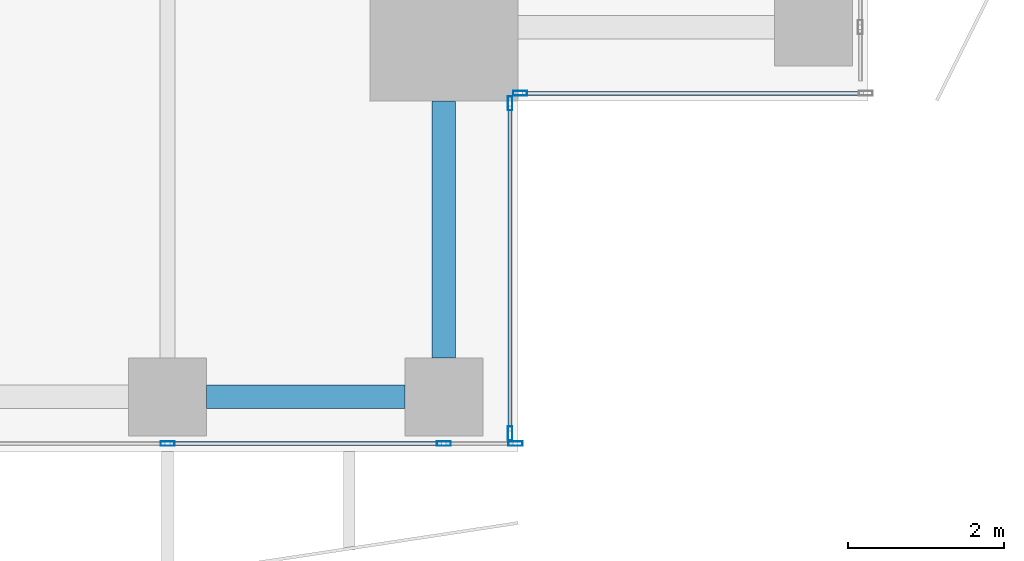
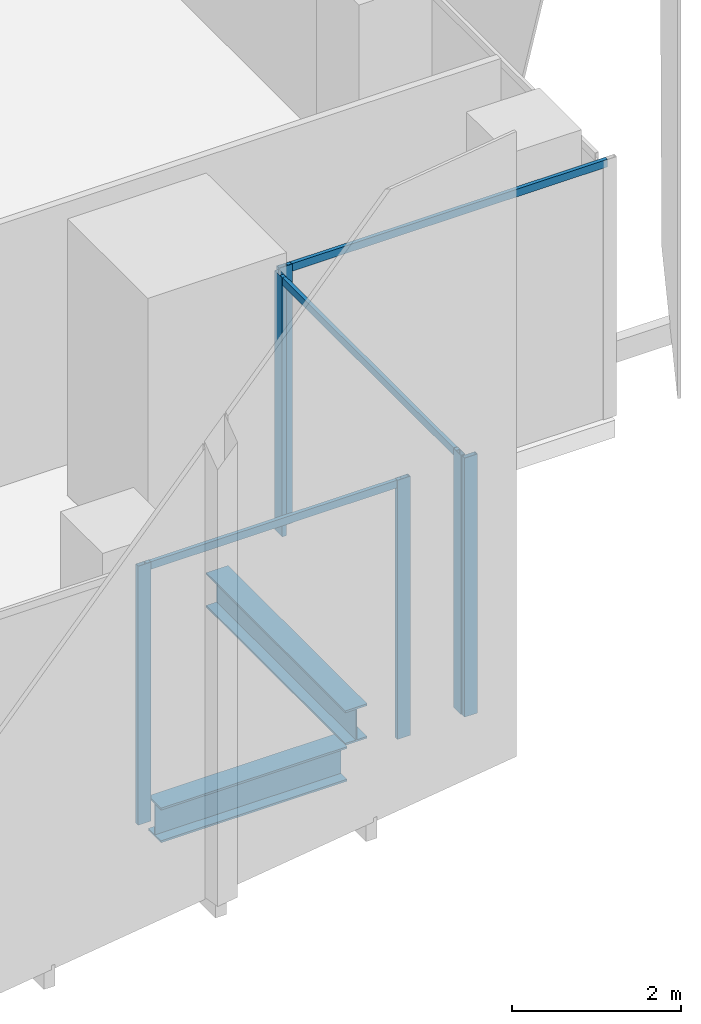
# One storey, part 9 of 35: 9 members, 2 beams, 3 elements without a shape of their own.
"""IFC4 building model written with IfcOpenShell, lengths in metres."""

from ifc_helpers import new_model, si_unit, direction, frame, origin, origin_2d, place, context, subcontext, project, spatial, hollow_rectangle, i_section, extrude, source, transform, mapped, material, material_profile, profile_set, type_object, element, aggregate, save


model = new_model("IFC4")

# Units and contexts
model_context = context("Model", 3, precision=1e-05, world=origin(), true_north=direction((0.0, 1.0)))
body_context = subcontext(model_context, "Body", "Model", "MODEL_VIEW")
ifc_project = project(units=[si_unit("LENGTHUNIT", "METRE"), si_unit("AREAUNIT", "SQUARE_METRE"), si_unit("VOLUMEUNIT", "CUBIC_METRE"), si_unit("PLANEANGLEUNIT", "RADIAN"), si_unit("MASSUNIT", "GRAM", prefix="KILO")], contexts=[model_context])

# Site, building, storey
site_placement = place(None, origin())
site = spatial("IfcSite", under=ifc_project, at=site_placement, CompositionType="ELEMENT")
building_placement = place(site_placement, origin())
building = spatial("IfcBuilding", under=site, at=building_placement, Name="Khomas Fold Tower", CompositionType="ELEMENT")
storey_placement = place(building_placement, frame((0.0, 0.0, 212.699951171875)))
storey = spatial("IfcBuildingStorey", under=building, at=storey_placement, Name="L47", CompositionType="ELEMENT", Elevation=212.699951171875)

# Beams
ifc_material_1 = material(Name="Steel S355", Category="steel")
ifc_material_profile_1 = material_profile(ifc_material_1, i_section(OverallWidth=0.300048828125, OverallDepth=0.5, WebThickness=0.014404296875, FlangeThickness=0.028076171875, at=origin_2d()), Name="HE 500 B")
ifc_profile_set_1 = profile_set([ifc_material_profile_1], Name="Steel S355")
beam_type = type_object("IfcBeamType", Name="HE 500 B spandrel SB3", PredefinedType="SPANDREL", material=ifc_profile_set_1)
shared_shape_1 = source(origin(), body_context, "Body", "SweptSolid", [
    extrude(i_section(OverallWidth=0.300048828125, OverallDepth=0.5, WebThickness=0.014404296875, FlangeThickness=0.028076171875, at=origin_2d()), origin(), (0.0, 0.0, 1.0), 2.550048828125),
])
beam_1_placement = place(storey_placement, frame((42.5, 3.699951171875, -0.5), z_axis=(1.0, 0.0, 0.0), x_axis=(0.0, 1.0, 0.0)))
element("IfcBeam", 1, at=beam_1_placement, inside=storey, type_object=beam_type, Name="SB3", PredefinedType="SPANDREL", context=body_context, shape_type="MappedRepresentation", body=[
    mapped(shared_shape_1, transform((0.0, 0.0, 0.0))),
])
shared_shape_2 = source(origin(), body_context, "Body", "SweptSolid", [
    extrude(i_section(OverallWidth=0.300048828125, OverallDepth=0.5, WebThickness=0.014404296875, FlangeThickness=0.028076171875, at=origin_2d()), origin(), (0.0, 0.0, 1.0), 3.300048828125),
])
beam_2_placement = place(storey_placement, frame((45.550048828125, 4.199951171875, -0.5), z_axis=(0.0, 1.0, 0.0), x_axis=(-1.0, 0.0, 0.0)))
element("IfcBeam", 2, at=beam_2_placement, inside=storey, type_object=beam_type, Name="SB3", PredefinedType="SPANDREL", context=body_context, shape_type="MappedRepresentation", body=[
    mapped(shared_shape_2, transform((0.0, 0.0, 0.0))),
])

# Curtain wall, members
ifc_material_2 = material(Name="Aluminium framed double glazing", Category="aluminium")
curtain_wall_type = type_object("IfcCurtainWallType", Name="SK-Unitised clear-glass wall, office floors CW2", PredefinedType="NOTDEFINED", material=ifc_material_2)
curtain_wall_1_placement = place(storey_placement, origin())
curtain_wall_1 = element("IfcCurtainWall", 3, at=curtain_wall_1_placement, inside=storey, type_object=curtain_wall_type, Name="CW2 run L47 00-0", PredefinedType="NOTDEFINED")
ifc_material_3 = material(Name="Aluminium", Category="aluminium")
ifc_material_profile_2 = material_profile(ifc_material_3, hollow_rectangle(XDim=0.06005859375, YDim=0.179931640625, WallThickness=0.00390625, at=origin_2d()), Name="SK-Unitised clear-glass wall, office floors mullion CW2-M")
ifc_profile_set_2 = profile_set([ifc_material_profile_2], Name="Aluminium")
member_type_1 = type_object("IfcMemberType", Name="SK-Unitised clear-glass wall, office floors mullion CW2-M", PredefinedType="MULLION", material=ifc_profile_set_2)
shared_shape_3 = source(origin(), body_context, "Body", "SweptSolid", [
    extrude(hollow_rectangle(XDim=0.06005859375, YDim=0.179931640625, WallThickness=0.00390625, at=origin_2d()), origin(), (0.0, 0.0, 1.0), 3.75),
])
member_1_placement = place(storey_placement, frame((42.0, 3.10009765625, 0.0), z_axis=(0.0, 0.0, 1.0), x_axis=(0.0, 1.0, 0.0)))
member_1 = element("IfcMember", 4, at=member_1_placement, type_object=member_type_1, Name="CW2 mullion 5", PredefinedType="MULLION", context=body_context, shape_type="MappedRepresentation", body=[
    mapped(shared_shape_3, transform((0.0, 0.0, 0.0))),
])
member_2_placement = place(storey_placement, frame((45.550048828125, 3.10009765625, 0.0), z_axis=(0.0, 0.0, 1.0), x_axis=(0.0, 1.0, 0.0)))
member_2 = element("IfcMember", 5, at=member_2_placement, type_object=member_type_1, Name="CW2 mullion 6", PredefinedType="MULLION", context=body_context, shape_type="MappedRepresentation", body=[
    mapped(shared_shape_3, transform((0.0, 0.0, 0.0))),
])
member_3_placement = place(storey_placement, frame((46.469970703125, 3.10009765625, 0.0), z_axis=(0.0, 0.0, 1.0), x_axis=(0.0, 1.0, 0.0)))
member_3 = element("IfcMember", 6, at=member_3_placement, type_object=member_type_1, Name="CW2 mullion 7", PredefinedType="MULLION", context=body_context, shape_type="MappedRepresentation", body=[
    mapped(shared_shape_3, transform((0.0, 0.0, 0.0))),
])

curtain_wall_2_placement = place(storey_placement, origin())
curtain_wall_2 = element("IfcCurtainWall", 7, at=curtain_wall_2_placement, inside=storey, type_object=curtain_wall_type, Name="CW2 corner return L47 01", PredefinedType="NOTDEFINED")
member_4_placement = place(storey_placement, frame((46.39990234375, 3.22998046875, 0.0), z_axis=(0.0, 0.0, 1.0), x_axis=(-1.0, 0.0, 0.0)))
member_4 = element("IfcMember", 8, at=member_4_placement, type_object=member_type_1, Name="CW2 mullion 1", PredefinedType="MULLION", context=body_context, shape_type="MappedRepresentation", body=[
    mapped(shared_shape_3, transform((0.0, 0.0, 0.0))),
])
member_5_placement = place(storey_placement, frame((46.39990234375, 7.469970703125, 0.0), z_axis=(0.0, 0.0, 1.0), x_axis=(-1.0, 0.0, 0.0)))
member_5 = element("IfcMember", 9, at=member_5_placement, type_object=member_type_1, Name="CW2 mullion 2", PredefinedType="MULLION", context=body_context, shape_type="MappedRepresentation", body=[
    mapped(shared_shape_3, transform((0.0, 0.0, 0.0))),
])

curtain_wall_3_placement = place(storey_placement, origin())
curtain_wall_3 = element("IfcCurtainWall", 10, at=curtain_wall_3_placement, inside=storey, type_object=curtain_wall_type, Name="CW2 corner return L47 02", PredefinedType="NOTDEFINED")
member_6_placement = place(storey_placement, frame((46.530029296875, 7.60009765625, 0.0), z_axis=(0.0, 0.0, 1.0), x_axis=(0.0, 1.0, 0.0)))
member_6 = element("IfcMember", 11, at=member_6_placement, type_object=member_type_1, Name="CW2 mullion 1", PredefinedType="MULLION", context=body_context, shape_type="MappedRepresentation", body=[
    mapped(shared_shape_3, transform((0.0, 0.0, 0.0))),
])
ifc_material_4 = material(Name="Aluminium", Category="aluminium")
ifc_material_profile_3 = material_profile(ifc_material_4, hollow_rectangle(XDim=0.050048828125, YDim=0.110107421875, WallThickness=0.00390625, at=origin_2d()), Name="SK-Unitised clear-glass wall, office floors transom CW2-T")
ifc_profile_set_3 = profile_set([ifc_material_profile_3], Name="Aluminium")
member_type_2 = type_object("IfcMemberType", Name="SK-Unitised clear-glass wall, office floors transom CW2-T", PredefinedType="USERDEFINED", material=ifc_profile_set_3)
shared_shape_4 = source(origin(), body_context, "Body", "SweptSolid", [
    extrude(hollow_rectangle(XDim=0.050048828125, YDim=0.110107421875, WallThickness=0.00390625, at=origin_2d()), origin(), (0.0, 0.0, 1.0), 4.3798828125),
])
member_7_placement = place(storey_placement, frame((46.56005859375, 7.60009765625, 3.695068359375), z_axis=(1.0, 0.0, 0.0), x_axis=(0.0, 1.0, 0.0)))
member_7 = element("IfcMember", 12, at=member_7_placement, type_object=member_type_2, Name="CW2 transom 1", ObjectType="TRANSOM", PredefinedType="USERDEFINED", context=body_context, shape_type="MappedRepresentation", body=[
    mapped(shared_shape_4, transform((0.0, 0.0, 0.0))),
])
aggregate(curtain_wall_3, [member_6, member_7])

# Member
shared_shape_5 = source(origin(), body_context, "Body", "SweptSolid", [
    extrude(hollow_rectangle(XDim=0.050048828125, YDim=0.110107421875, WallThickness=0.00390625, at=origin_2d()), origin(), (0.0, 0.0, 1.0), 3.489990234375),
])
member_8_placement = place(storey_placement, frame((42.030029296875, 3.10009765625, 3.695068359375), z_axis=(1.0, 0.0, 0.0), x_axis=(0.0, 1.0, 0.0)))
member_8 = element("IfcMember", 13, at=member_8_placement, type_object=member_type_2, Name="CW2 transom 5", ObjectType="TRANSOM", PredefinedType="USERDEFINED", context=body_context, shape_type="MappedRepresentation", body=[
    mapped(shared_shape_5, transform((0.0, 0.0, 0.0))),
])

aggregate(curtain_wall_1, [member_1, member_2, member_3, member_8])

shared_shape_6 = source(origin(), body_context, "Body", "SweptSolid", [
    extrude(hollow_rectangle(XDim=0.050048828125, YDim=0.110107421875, WallThickness=0.00390625, at=origin_2d()), origin(), (0.0, 0.0, 1.0), 4.179931640625),
])
member_9_placement = place(storey_placement, frame((46.39990234375, 3.260009765625, 3.695068359375), z_axis=(0.0, 1.0, 0.0), x_axis=(-1.0, 0.0, 0.0)))
member_9 = element("IfcMember", 14, at=member_9_placement, type_object=member_type_2, Name="CW2 transom 1", ObjectType="TRANSOM", PredefinedType="USERDEFINED", context=body_context, shape_type="MappedRepresentation", body=[
    mapped(shared_shape_6, transform((0.0, 0.0, 0.0))),
])

aggregate(curtain_wall_2, [member_4, member_5, member_9])

save(model, "model.ifc")
